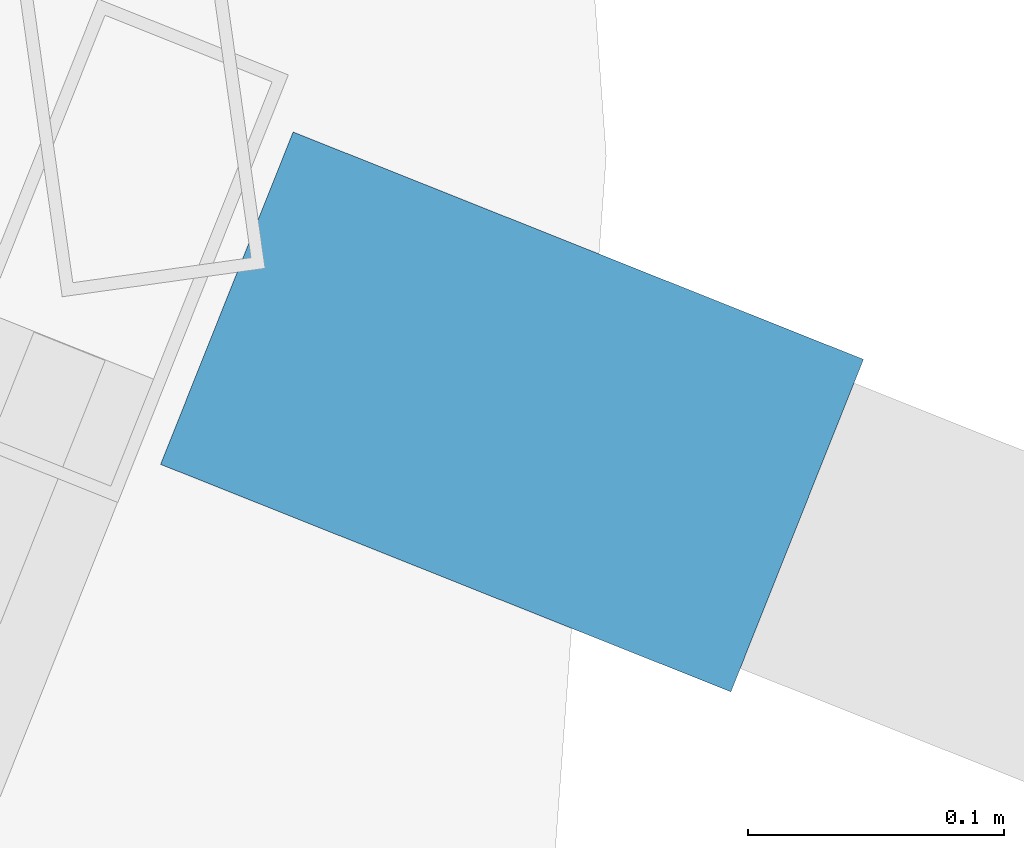
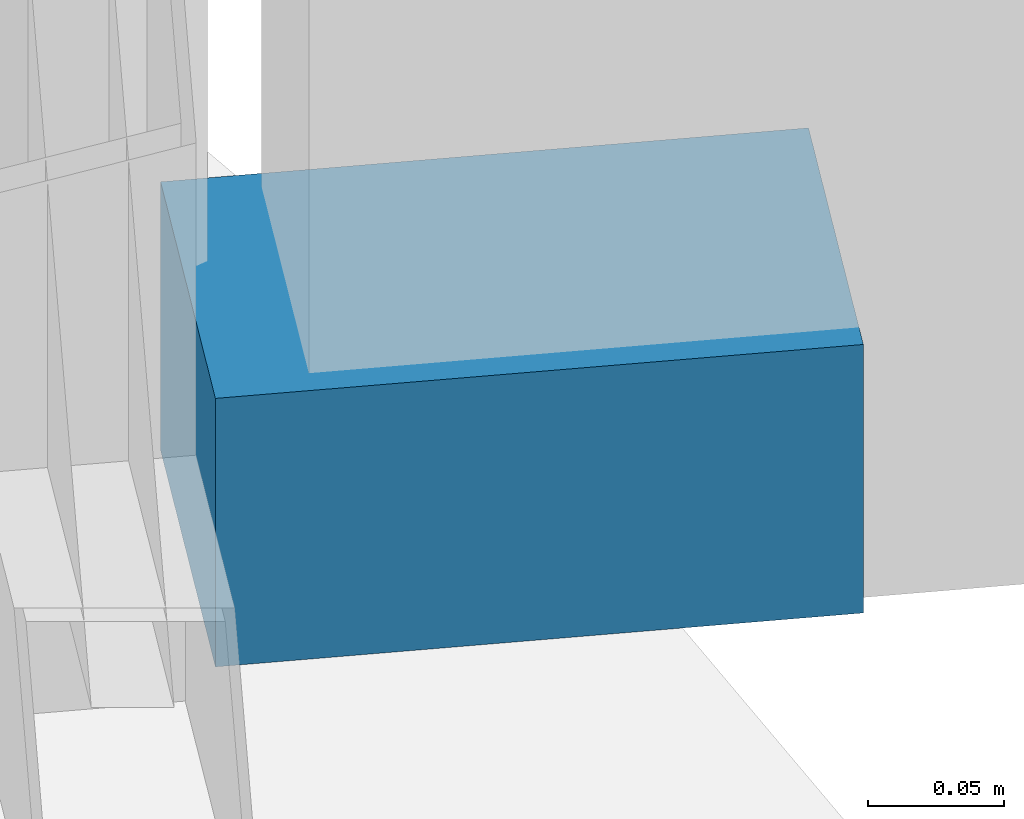
# One storey, part 28 of 31: 1 discrete accessory.
"""IFC4 building model written with IfcOpenShell, lengths in metres."""

from ifc_helpers import new_model, si_unit, direction, frame, origin, origin_2d, place, context, subcontext, project, spatial, rectangle, extrude, material, type_object, element, save


model = new_model("IFC4")

# Units and contexts
model_context = context("Model", 3, precision=1e-05, world=origin(), true_north=direction((0.0, 1.0)))
body_context = subcontext(model_context, "Body", "Model", "MODEL_VIEW")
ifc_project = project(units=[si_unit("LENGTHUNIT", "METRE"), si_unit("AREAUNIT", "SQUARE_METRE"), si_unit("VOLUMEUNIT", "CUBIC_METRE"), si_unit("PLANEANGLEUNIT", "RADIAN"), si_unit("MASSUNIT", "GRAM", prefix="KILO")], contexts=[model_context])

# Site, building, storey
site_placement = place(None, origin())
site = spatial("IfcSite", under=ifc_project, at=site_placement, CompositionType="ELEMENT")
building_placement = place(site_placement, origin())
building = spatial("IfcBuilding", under=site, at=building_placement, Name="Kazevale Care Tower and Concert Hall", CompositionType="ELEMENT")
storey_placement = place(building_placement, frame((0.0, 0.0, 60.0)))
storey = spatial("IfcBuildingStorey", under=building, at=storey_placement, Name="L15", CompositionType="ELEMENT", Elevation=60.0)

# Discrete accessory
ifc_material = material(Name="Stainless Steel 316", Category="steel")
discrete_accessory_type = type_object("IfcDiscreteAccessoryType", Name="Facade Fin Stainless Anchor Bracket BRK-1", PredefinedType="BRACKET", material=ifc_material)
discrete_accessory_placement = place(storey_placement, frame((80.76318359375, 37.89990234375, 0.0), z_axis=(0.0, 0.0, 1.0), x_axis=(0.928874213199, -0.370395324019, 0.0)))
element("IfcDiscreteAccessory", 1, at=discrete_accessory_placement, inside=storey, type_object=discrete_accessory_type, Name="cw:L15:f01:brk", PredefinedType="BRACKET", context=body_context, shape_type="SweptSolid", body=[
    extrude(rectangle(XDim=0.239990234375, YDim=0.139892578125, at=origin_2d()), origin(), (0.0, 0.0, 1.0), 0.1201171875),
])

save(model, "model.ifc")
